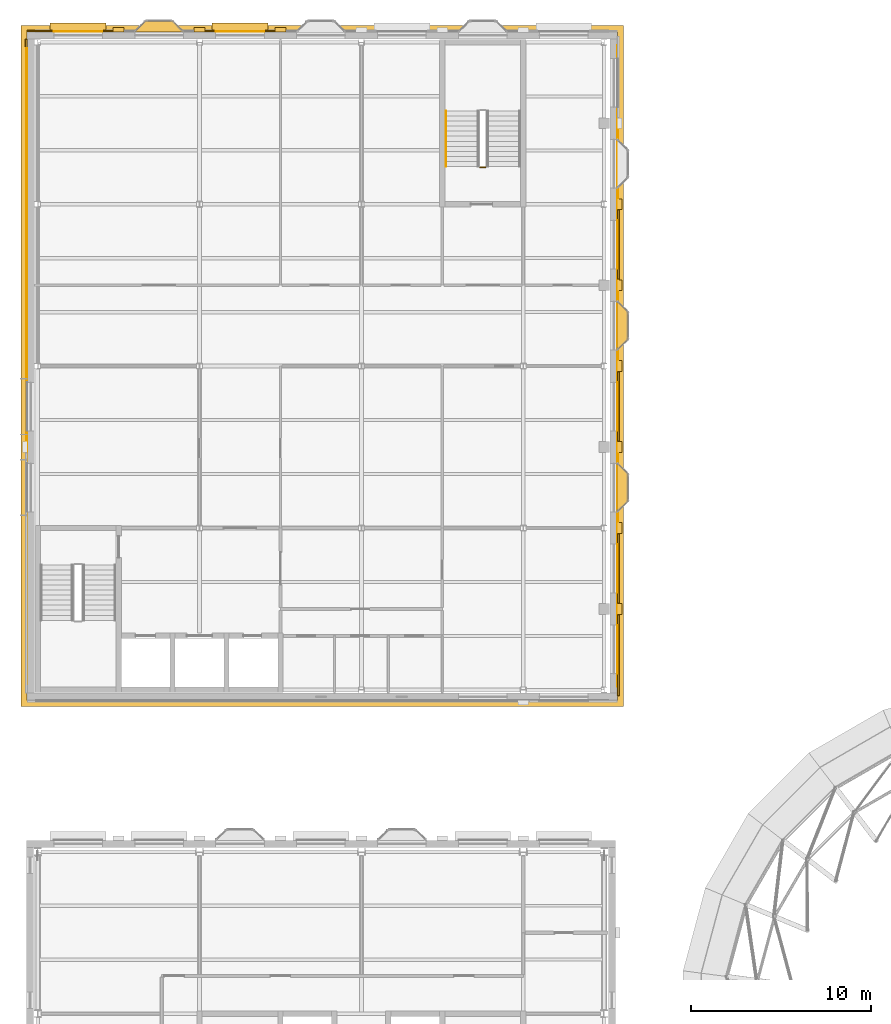
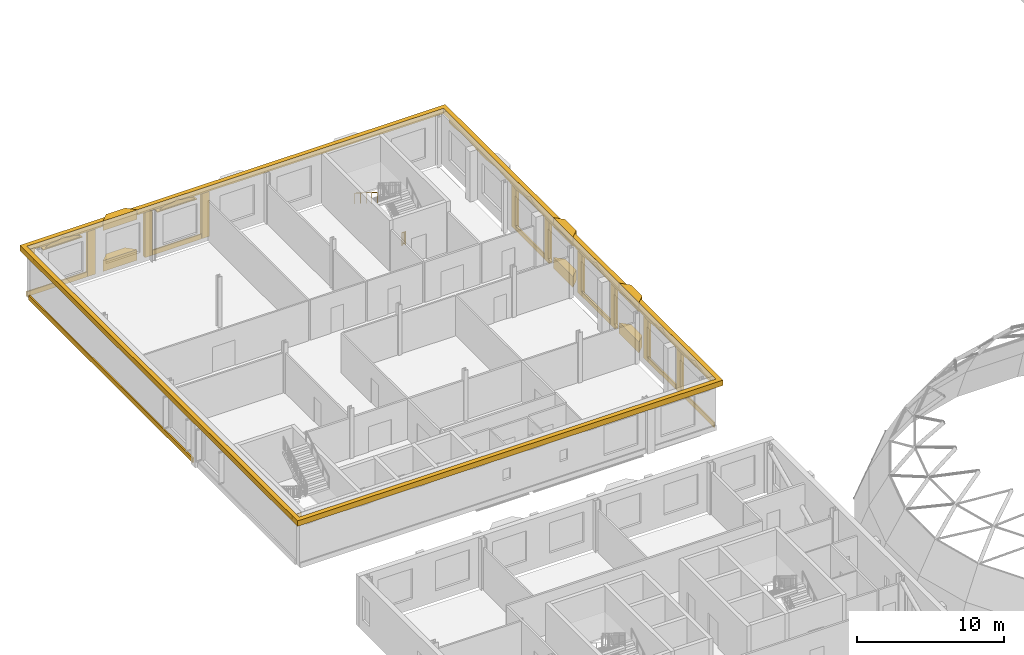
# One storey, part 61 of 62: 31 coverings, 2 railings, 2 shading devices.
"""IFC4 building model written with IfcOpenShell, lengths in metres."""

import ifcopenshell
import ifcopenshell.guid

model = None  # the IFC model being written
_history = None  # IfcOwnerHistory: only IFC2X3 demands one
_inside = {}  # id of a spatial element -> (the spatial element, [elements in it])
_under = {}  # id of a project, library or spatial element -> (it, [spatial elements below it])
_declared = {}  # id of a project -> (the project, [libraries it declares])
_typed = {}  # id of a type object -> (the type object, [elements of that type])
_made_of = {}  # id of a material, layer set ... -> (it, [elements and type objects made of it])


def new_model(schema):
    """Start an empty IFC model of exactly this schema.

    Asked for "IFC4X3", IfcOpenShell would pick the latest addendum, in which some entities
    have other attributes; the version numbers below select the first issue.
    IFC2X3 requires an IfcOwnerHistory on every rooted entity: one is made here for all.
    """
    global model, _history
    if schema == "IFC4X3":
        model = ifcopenshell.file(schema_version=(4, 3, 0, 0))
    else:
        model = ifcopenshell.file(schema=schema)
    _inside.clear()
    _under.clear()
    _declared.clear()
    _typed.clear()
    _made_of.clear()
    _history = None
    if model.schema == "IFC2X3":
        org = make("IfcOrganization", Name="unknown")
        user = make(
            "IfcPersonAndOrganization",
            ThePerson=make("IfcPerson", FamilyName="unknown"),
            TheOrganization=org,
        )
        app = make(
            "IfcApplication",
            ApplicationDeveloper=org,
            Version="unknown",
            ApplicationFullName="unknown",
            ApplicationIdentifier="unknown",
        )
        _history = make(
            "IfcOwnerHistory",
            OwningUser=user,
            OwningApplication=app,
            ChangeAction="ADDED",
            CreationDate=0,
        )
    return model


def make(cls, **values):
    """One entity of the class cls with the attributes given. An attribute that is None is left unset."""
    return model.create_entity(
        cls, **{name: value for name, value in values.items() if value is not None}
    )


def rooted(cls, **values):
    """An entity with a GlobalId (a new one), such as an element, a storey or a relation."""
    return make(cls, GlobalId=ifcopenshell.guid.new(), OwnerHistory=_history, **values)


def si_unit(unit_type, name, prefix=None):
    """IfcSIUnit, for example si_unit("LENGTHUNIT", "METRE", prefix="MILLI")."""
    return make("IfcSIUnit", UnitType=unit_type, Prefix=prefix, Name=name)


def assignment(units):
    """IfcUnitAssignment: the units of a project."""
    return None if units is None else make("IfcUnitAssignment", Units=units)


def point(xyz):
    """IfcCartesianPoint."""
    return None if xyz is None else make("IfcCartesianPoint", Coordinates=xyz)


def direction(xyz):
    """IfcDirection."""
    return None if xyz is None else make("IfcDirection", DirectionRatios=xyz)


def frame(location, z_axis=None, x_axis=None):
    """IfcAxis2Placement3D, a coordinate frame: its origin and axes. An axis left out is left unset."""
    return make(
        "IfcAxis2Placement3D",
        Location=point(location),
        Axis=direction(z_axis),
        RefDirection=direction(x_axis),
    )


def frame_2d(location, x_axis=None):
    """IfcAxis2Placement2D, a coordinate frame in the plane: its origin and x axis."""
    return make(
        "IfcAxis2Placement2D", Location=point(location), RefDirection=direction(x_axis)
    )


def origin():
    """The frame at (0, 0, 0) with its axes left unset."""
    return frame((0.0, 0.0, 0.0))


def origin_2d():
    """The frame at (0, 0) in the plane with its x axis left unset."""
    return frame_2d((0.0, 0.0))


def place(relative_to, where):
    """IfcLocalPlacement: puts the frame where relative to a parent placement (None: the world)."""
    return make(
        "IfcLocalPlacement", PlacementRelTo=relative_to, RelativePlacement=where
    )


def context(
    kind, dimensions, precision=None, world=None, true_north=None, identifier=None
):
    """IfcGeometricRepresentationContext, for example the 3D "Model" context."""
    return make(
        "IfcGeometricRepresentationContext",
        ContextIdentifier=identifier,
        ContextType=kind,
        CoordinateSpaceDimension=dimensions,
        Precision=precision,
        WorldCoordinateSystem=world,
        TrueNorth=true_north,
    )


def subcontext(parent, identifier, kind, view, scale=None):
    """IfcGeometricRepresentationSubContext, for example "Body" below "Model"."""
    return make(
        "IfcGeometricRepresentationSubContext",
        ContextIdentifier=identifier,
        ContextType=kind,
        ParentContext=parent,
        TargetScale=scale,
        TargetView=view,
    )


def project(units=None, contexts=None):
    """IfcProject with its units and contexts."""
    return rooted(
        "IfcProject",
        Name="project",
        RepresentationContexts=contexts,
        UnitsInContext=assignment(units),
    )


def spatial(cls, under=None, at=None, **own):
    """A site, building, storey or space (cls), placed at a placement, below another one or the project."""
    s = rooted(cls, ObjectPlacement=at, **own)
    if under is not None:
        _under.setdefault(under.id(), (under, []))[1].append(s)
    return s


def polyline(points):
    """IfcPolyline through the points."""
    return make("IfcPolyline", Points=[point(p) for p in points])


def profile(cls, at=None, kind="AREA", **sizes):
    """A parametric profile (cls). Its sizes go by their IFC names, for example OverallWidth=200.0."""
    return make(cls, ProfileType=kind, Position=at, **sizes)


def rectangle(**sizes):
    """IfcRectangleProfileDef."""
    return profile("IfcRectangleProfileDef", **sizes)


def circle(**sizes):
    """IfcCircleProfileDef."""
    return profile("IfcCircleProfileDef", **sizes)


def outline(outer, holes=None, kind="AREA"):
    """IfcArbitraryClosedProfileDef: a profile drawn as a closed curve; with holes, ...WithVoids."""
    if holes is None:
        return make("IfcArbitraryClosedProfileDef", ProfileType=kind, OuterCurve=outer)
    return make(
        "IfcArbitraryProfileDefWithVoids",
        ProfileType=kind,
        OuterCurve=outer,
        InnerCurves=holes,
    )


def extrude(swept, where, along, depth):
    """IfcExtrudedAreaSolid: the profile swept, set in the frame where, extruded along a direction by depth."""
    return make(
        "IfcExtrudedAreaSolid",
        SweptArea=swept,
        Position=where,
        ExtrudedDirection=direction(along),
        Depth=depth,
    )


def shape(context_of_items, identifier, shape_type, items):
    """IfcShapeRepresentation: the items that make up one representation, for example the "Body"."""
    return make(
        "IfcShapeRepresentation",
        ContextOfItems=context_of_items,
        RepresentationIdentifier=identifier,
        RepresentationType=shape_type,
        Items=items,
    )


def material(Name=None, Category=None):
    """IfcMaterial."""
    return make("IfcMaterial", Name=Name, Category=Category)


def layer(
    of_material, thickness, ventilated=None, Name=None, Category=None, Priority=None
):
    """IfcMaterialLayer: one layer of a wall or slab, of a material (None: an air gap)."""
    return make(
        "IfcMaterialLayer",
        Material=of_material,
        LayerThickness=thickness,
        IsVentilated=ventilated,
        Name=Name,
        Category=Category,
        Priority=Priority,
    )


def layer_set(layers, Name=None):
    """IfcMaterialLayerSet."""
    return make("IfcMaterialLayerSet", MaterialLayers=layers, LayerSetName=Name)


def made_of(thing, what):
    """Note that an element or type object is made of a material, layer set ...; save() writes the relation."""
    if what is not None:
        _made_of.setdefault(what.id(), (what, []))[1].append(thing)
    return thing


def type_object(cls, material=None, **own):
    """A type object (cls), such as IfcWallType, which elements share."""
    return made_of(rooted(cls, **own), material)


def element(
    cls,
    number,
    at=None,
    inside=None,
    cuts=None,
    type_object=None,
    material=None,
    context=None,
    identifier="Body",
    shape_type=None,
    held_by="IfcProductDefinitionShape",
    body=None,
    shapes=None,
    **own,
):
    """One element of the class cls, such as IfcWall. Its Tag is "e" and its number.

    at: its placement. inside: the storey or other place that contains it. cuts: it is an
    opening in that element (IfcRelVoidsElement). A single representation is given by context,
    identifier, shape_type and body (its items); several are given by shapes. held_by: the class
    of the entity that holds the representations. save() writes the other relations.
    """
    e = rooted(cls, Tag="e%d" % number, ObjectPlacement=at, **own)
    if body is not None:
        shapes = [shape(context, identifier, shape_type, body)]
    if shapes is not None:
        e.Representation = make(held_by, Representations=shapes)
    if inside is not None:
        _inside.setdefault(inside.id(), (inside, []))[1].append(e)
    if cuts is not None:
        rooted(
            "IfcRelVoidsElement", RelatingBuildingElement=cuts, RelatedOpeningElement=e
        )
    if type_object is not None:
        _typed.setdefault(type_object.id(), (type_object, []))[1].append(e)
    return made_of(e, material)


def aggregate(whole, parts):
    """IfcRelAggregates: a whole, such as a stair, and the parts it consists of."""
    return rooted("IfcRelAggregates", RelatingObject=whole, RelatedObjects=parts)


def save(model, path):
    """Write the relations noted so far, then the file.

    IfcRelAggregates (storeys below a building ...), IfcRelContainedInSpatialStructure (elements
    in a storey), IfcRelDefinesByType, IfcRelAssociatesMaterial and IfcRelDeclares: one each for
    every whole, place, type object, material and project.
    """
    for whole, parts in _under.values():
        aggregate(whole, parts)
    for where, things in _inside.values():
        rooted(
            "IfcRelContainedInSpatialStructure",
            RelatedElements=things,
            RelatingStructure=where,
        )
    for kind, things in _typed.values():
        rooted("IfcRelDefinesByType", RelatedObjects=things, RelatingType=kind)
    for what, things in _made_of.values():
        rooted("IfcRelAssociatesMaterial", RelatedObjects=things, RelatingMaterial=what)
    for by, libraries in _declared.values():
        rooted("IfcRelDeclares", RelatingContext=by, RelatedDefinitions=libraries)
    model.write(path)


model = new_model("IFC4")

# Units and contexts
model_context = context("Model", 3, precision=1e-05, world=origin(), true_north=direction((0.0, 1.0)))
body_context = subcontext(model_context, "Body", "Model", "MODEL_VIEW")
ifc_project = project(units=[si_unit("LENGTHUNIT", "METRE"), si_unit("AREAUNIT", "SQUARE_METRE"), si_unit("VOLUMEUNIT", "CUBIC_METRE"), si_unit("PLANEANGLEUNIT", "RADIAN"), si_unit("MASSUNIT", "GRAM", prefix="KILO")], contexts=[model_context])

# Site, building, storey
site_placement = place(None, origin())
site = spatial("IfcSite", under=ifc_project, at=site_placement, CompositionType="ELEMENT")
building_placement = place(site_placement, origin())
building = spatial("IfcBuilding", under=site, at=building_placement, Name="Hortulan Conservatory and Botanical Research Centre", CompositionType="ELEMENT")
storey_placement = place(building_placement, frame((0.0, 0.0, 15.0)))
storey = spatial("IfcBuildingStorey", under=building, at=storey_placement, Name="L03", CompositionType="ELEMENT", Elevation=15.0)

# Shading devices
ifc_material_1 = material(Name="Bronze-finished perforated aluminium", Category="aluminium")
ifc_layer_1 = layer(ifc_material_1, 0.06005859375)
ifc_layer_set_1 = layer_set([ifc_layer_1], Name="Catenary Hood 3100x500x60")
shading_device_type = type_object("IfcShadingDeviceType", Name="Catenary Hood 3100x500x60", PredefinedType="USERDEFINED", material=ifc_layer_set_1)
for number, where, z_axis, x_axis, name in (
    (1, (2.25, 72.83544921875, 3.409912109375), (0.0, 0.0, 1.0), (1.0, 0.0, 0.0), "Catenary hood"),
    (2, (11.25, 72.83544921875, 3.409912109375), (0.0, 0.0, 1.0), (1.0, 0.0, 0.0), "Catenary hood"),
):
    element("IfcShadingDevice", number, at=place(storey_placement, frame(where, z_axis=z_axis, x_axis=x_axis)), inside=storey, type_object=shading_device_type, Name=name, ObjectType="Catenary hood", PredefinedType="USERDEFINED", context=body_context, shape_type="SweptSolid", body=[
        extrude(rectangle(XDim=3.10009765625, YDim=0.5, at=origin_2d()), origin(), (0.0, 0.0, 1.0), 0.06005859375),
    ])

# Coverings
ifc_material_2 = material(Name="Faience cladding, cream glaze (non-combustible)", Category="ceramic")
ifc_layer_2 = layer(ifc_material_2, 0.030029296875)
ifc_layer_set_2 = layer_set([ifc_layer_2], Name="Faience Ogee Head Panel Cream 2700x500")
covering_type_1 = type_object("IfcCoveringType", Name="Faience Ogee Head Panel Cream 2700x500", PredefinedType="CLADDING", material=ifc_layer_set_2)
for number, where, z_axis, x_axis, name in (
    (3, (9.89990234375, 72.6005859375, 3.52001953125), (0.0, 0.0, 1.0), (1.0, 0.0, 0.0), "Ogee head panel"),
    (4, (32.239990234375, 39.60009765625, 3.52001953125), (0.0, 0.0, 1.0), (0.0, -1.0, 0.0), "Ogee head panel"),
    (5, (32.239990234375, 62.10009765625, 3.52001953125), (0.0, 0.0, 1.0), (0.0, -1.0, 0.0), "Ogee head panel"),
):
    element("IfcCovering", number, at=place(storey_placement, frame(where, z_axis=z_axis, x_axis=x_axis)), inside=storey, type_object=covering_type_1, Name=name, PredefinedType="CLADDING", context=body_context, shape_type="SweptSolid", body=[
        extrude(outline(polyline([(0.0, 0.0), (2.699951171875, 0.0), (2.699951171875, 0.080078125), (2.58740234375, 0.148681640625), (2.47509765625, 0.208251953125), (2.362548828125, 0.252197265625), (2.25, 0.278076171875), (2.137451171875, 0.28857421875), (2.02490234375, 0.2900390625), (1.91259765625, 0.291259765625), (1.800048828125, 0.3017578125), (1.6875, 0.327880859375), (1.574951171875, 0.371826171875), (1.46240234375, 0.431396484375), (1.35009765625, 0.5), (1.237548828125, 0.431396484375), (1.125, 0.371826171875), (1.012451171875, 0.327880859375), (0.89990234375, 0.3017578125), (0.78759765625, 0.291259765625), (0.675048828125, 0.2900390625), (0.5625, 0.28857421875), (0.449951171875, 0.278076171875), (0.33740234375, 0.252197265625), (0.22509765625, 0.208251953125), (0.112548828125, 0.148681640625), (0.0, 0.080078125), (0.0, 0.0)])), frame((0.0, 0.01513671875, 0.0), z_axis=(0.0, -1.0, 0.0), x_axis=(1.0, 0.0, 0.0)), (0.0, 0.0, 1.0), 0.030029296875),
    ])
ifc_material_3 = material(Name="Faience cladding, waratah crimson glaze (non-combustible)", Category="ceramic")
ifc_layer_3 = layer(ifc_material_3, 0.030029296875)
ifc_layer_set_3 = layer_set([ifc_layer_3], Name="Faience Ogee Head Panel Crimson 2700x500")
covering_type_2 = type_object("IfcCoveringType", Name="Faience Ogee Head Panel Crimson 2700x500", PredefinedType="CLADDING", material=ifc_layer_set_3)
for number, where, z_axis, x_axis, name in (
    (6, (0.89990234375, 72.6005859375, 3.52001953125), (0.0, 0.0, 1.0), (1.0, 0.0, 0.0), "Ogee head panel"),
    (7, (32.239990234375, 44.10009765625, 3.52001953125), (0.0, 0.0, 1.0), (0.0, -1.0, 0.0), "Ogee head panel"),
):
    element("IfcCovering", number, at=place(storey_placement, frame(where, z_axis=z_axis, x_axis=x_axis)), inside=storey, type_object=covering_type_2, Name=name, PredefinedType="CLADDING", context=body_context, shape_type="SweptSolid", body=[
        extrude(outline(polyline([(0.0, 0.0), (2.699951171875, 0.0), (2.699951171875, 0.080078125), (2.58740234375, 0.148681640625), (2.47509765625, 0.208251953125), (2.362548828125, 0.252197265625), (2.25, 0.278076171875), (2.137451171875, 0.28857421875), (2.02490234375, 0.2900390625), (1.91259765625, 0.291259765625), (1.800048828125, 0.3017578125), (1.6875, 0.327880859375), (1.574951171875, 0.371826171875), (1.46240234375, 0.431396484375), (1.35009765625, 0.5), (1.237548828125, 0.431396484375), (1.125, 0.371826171875), (1.012451171875, 0.327880859375), (0.89990234375, 0.3017578125), (0.78759765625, 0.291259765625), (0.675048828125, 0.2900390625), (0.5625, 0.28857421875), (0.449951171875, 0.278076171875), (0.33740234375, 0.252197265625), (0.22509765625, 0.208251953125), (0.112548828125, 0.148681640625), (0.0, 0.080078125), (0.0, 0.0)])), frame((0.0, 0.01513671875, 0.0), z_axis=(0.0, -1.0, 0.0), x_axis=(1.0, 0.0, 0.0)), (0.0, 0.0, 1.0), 0.030029296875),
    ])
ifc_material_4 = material(Name="Faience cladding, harbour teal glaze (non-combustible)", Category="ceramic")
ifc_layer_4 = layer(ifc_material_4, 0.030029296875)
ifc_layer_set_4 = layer_set([ifc_layer_4], Name="Faience Ogee Head Panel Teal 2700x500")
covering_type_3 = type_object("IfcCoveringType", Name="Faience Ogee Head Panel Teal 2700x500", PredefinedType="CLADDING", material=ifc_layer_set_4)
covering_1_placement = place(storey_placement, frame((32.239990234375, 53.10009765625, 3.52001953125), z_axis=(0.0, 0.0, 1.0), x_axis=(0.0, -1.0, 0.0)))
element("IfcCovering", 8, at=covering_1_placement, inside=storey, type_object=covering_type_3, Name="Ogee head panel", PredefinedType="CLADDING", context=body_context, shape_type="SweptSolid", body=[
    extrude(outline(polyline([(0.0, 0.0), (2.699951171875, 0.0), (2.699951171875, 0.080078125), (2.58740234375, 0.148681640625), (2.47509765625, 0.208251953125), (2.362548828125, 0.252197265625), (2.25, 0.278076171875), (2.137451171875, 0.28857421875), (2.02490234375, 0.2900390625), (1.91259765625, 0.291259765625), (1.800048828125, 0.3017578125), (1.6875, 0.327880859375), (1.574951171875, 0.371826171875), (1.46240234375, 0.431396484375), (1.35009765625, 0.5), (1.237548828125, 0.431396484375), (1.125, 0.371826171875), (1.012451171875, 0.327880859375), (0.89990234375, 0.3017578125), (0.78759765625, 0.291259765625), (0.675048828125, 0.2900390625), (0.5625, 0.28857421875), (0.449951171875, 0.278076171875), (0.33740234375, 0.252197265625), (0.22509765625, 0.208251953125), (0.112548828125, 0.148681640625), (0.0, 0.080078125), (0.0, 0.0)])), frame((0.0, 0.01513671875, 0.0), z_axis=(0.0, -1.0, 0.0), x_axis=(1.0, 0.0, 0.0)), (0.0, 0.0, 1.0), 0.030029296875),
])
ifc_material_5 = material(Name="Faience-faced brickwork masonry", Category="masonry")
covering_type_4 = type_object("IfcCoveringType", Name="Faience Oriel Base", PredefinedType="CLADDING", material=ifc_material_5)
covering_2_placement = place(storey_placement, origin())
element("IfcCovering", 9, at=covering_2_placement, inside=storey, type_object=covering_type_4, Name="Oriel base", PredefinedType="CLADDING", context=body_context, shape_type="SweptSolid", body=[
    extrude(outline(polyline([(5.39990234375, 72.58544921875), (6.0, 73.185546875), (7.5, 73.185546875), (8.10009765625, 72.58544921875), (5.39990234375, 72.58544921875)])), origin(), (0.0, 0.0, 1.0), 0.89990234375),
])
covering_3_placement = place(storey_placement, origin())
element("IfcCovering", 10, at=covering_3_placement, inside=storey, type_object=covering_type_4, Name="Oriel base", PredefinedType="CLADDING", context=body_context, shape_type="SweptSolid", body=[
    extrude(outline(polyline([(32.22509765625, 48.60009765625), (32.824951171875, 48.0), (32.824951171875, 46.5), (32.22509765625, 45.89990234375), (32.22509765625, 48.60009765625)])), origin(), (0.0, 0.0, 1.0), 0.89990234375),
])
covering_4_placement = place(storey_placement, origin())
element("IfcCovering", 11, at=covering_4_placement, inside=storey, type_object=covering_type_4, Name="Oriel base", PredefinedType="CLADDING", context=body_context, shape_type="SweptSolid", body=[
    extrude(outline(polyline([(32.22509765625, 57.60009765625), (32.824951171875, 57.0), (32.824951171875, 55.5), (32.22509765625, 54.89990234375), (32.22509765625, 57.60009765625)])), origin(), (0.0, 0.0, 1.0), 0.89990234375),
])
covering_type_5 = type_object("IfcCoveringType", Name="Faience Oriel Frieze", PredefinedType="CLADDING", material=ifc_material_5)
covering_5_placement = place(storey_placement, frame((0.0, 0.0, 3.39990234375)))
element("IfcCovering", 12, at=covering_5_placement, inside=storey, type_object=covering_type_5, Name="Oriel frieze", PredefinedType="CLADDING", context=body_context, shape_type="SweptSolid", body=[
    extrude(outline(polyline([(5.39990234375, 72.58544921875), (6.0, 73.185546875), (7.5, 73.185546875), (8.10009765625, 72.58544921875), (5.39990234375, 72.58544921875)])), origin(), (0.0, 0.0, 1.0), 0.800048828125),
])
covering_6_placement = place(storey_placement, frame((0.0, 0.0, 3.39990234375)))
element("IfcCovering", 13, at=covering_6_placement, inside=storey, type_object=covering_type_5, Name="Oriel frieze", PredefinedType="CLADDING", context=body_context, shape_type="SweptSolid", body=[
    extrude(outline(polyline([(32.22509765625, 48.60009765625), (32.824951171875, 48.0), (32.824951171875, 46.5), (32.22509765625, 45.89990234375), (32.22509765625, 48.60009765625)])), origin(), (0.0, 0.0, 1.0), 0.800048828125),
])
covering_7_placement = place(storey_placement, frame((0.0, 0.0, 3.39990234375)))
element("IfcCovering", 14, at=covering_7_placement, inside=storey, type_object=covering_type_5, Name="Oriel frieze", PredefinedType="CLADDING", context=body_context, shape_type="SweptSolid", body=[
    extrude(outline(polyline([(32.22509765625, 57.60009765625), (32.824951171875, 57.0), (32.824951171875, 55.5), (32.22509765625, 54.89990234375), (32.22509765625, 57.60009765625)])), origin(), (0.0, 0.0, 1.0), 0.800048828125),
])
ifc_layer_5 = layer(ifc_material_2, 0.25)
ifc_layer_set_5 = layer_set([ifc_layer_5], Name="Faience Pilaster 600x250")
covering_type_6 = type_object("IfcCoveringType", Name="Faience Pilaster 600x250", PredefinedType="CLADDING", material=ifc_layer_set_5)
for number, where, z_axis, x_axis, name in (
    (15, (4.5, 72.71044921875, 0.0), (0.0, 0.0, 1.0), (1.0, 0.0, 0.0), "Pier"),
    (16, (9.0, 72.71044921875, 0.0), (0.0, 0.0, 1.0), (1.0, 0.0, 0.0), "Pier"),
    (17, (13.5, 72.71044921875, 0.0), (0.0, 0.0, 1.0), (1.0, 0.0, 0.0), "Pier"),
    (18, (32.35009765625, 63.0, 0.0), (0.0, 0.0, 1.0), (0.0, -1.0, 0.0), "Pier"),
    (19, (32.35009765625, 58.5, 0.0), (0.0, 0.0, 1.0), (0.0, -1.0, 0.0), "Pier"),
    (20, (32.35009765625, 54.0, 0.0), (0.0, 0.0, 1.0), (0.0, -1.0, 0.0), "Pier"),
    (21, (32.35009765625, 49.5, 0.0), (0.0, 0.0, 1.0), (0.0, -1.0, 0.0), "Pier"),
    (22, (32.35009765625, 45.0, 0.0), (0.0, 0.0, 1.0), (0.0, -1.0, 0.0), "Pier"),
    (23, (32.35009765625, 40.5, 0.0), (0.0, 0.0, 1.0), (0.0, -1.0, 0.0), "Pier"),
):
    element("IfcCovering", number, at=place(storey_placement, frame(where, z_axis=z_axis, x_axis=x_axis)), inside=storey, type_object=covering_type_6, Name=name, PredefinedType="CLADDING", context=body_context, shape_type="SweptSolid", body=[
        extrude(rectangle(XDim=0.60009765625, YDim=0.25, at=origin_2d()), origin(), (0.0, 0.0, 1.0), 3.75),
    ])
ifc_layer_6 = layer(ifc_material_3, 0.10009765625)
ifc_layer_set_6 = layer_set([ifc_layer_6], Name="Faience String Course 400x100 Crimson")
covering_type_7 = type_object("IfcCoveringType", Name="Faience String Course 400x100 Crimson", PredefinedType="CLADDING", material=ifc_layer_set_6)
covering_8_placement = place(storey_placement, frame((-0.62939453125, 60.999755859375, 0.0), z_axis=(0.0, 0.0, 1.0), x_axis=(0.0, 1.0, 0.0)))
element("IfcCovering", 24, at=covering_8_placement, inside=storey, type_object=covering_type_7, Name="String course", PredefinedType="CLADDING", context=body_context, shape_type="SweptSolid", body=[
    extrude(rectangle(XDim=22.359619140625, YDim=0.10009765625, at=origin_2d()), origin(), (0.0, 0.0, 1.0), 0.39990234375),
])
covering_9_placement = place(storey_placement, frame((1.80029296875, 72.635498046875, 0.0), z_axis=(0.0, 0.0, 1.0), x_axis=(1.0, 0.0, 0.0)))
element("IfcCovering", 25, at=covering_9_placement, inside=storey, type_object=covering_type_7, Name="String course", PredefinedType="CLADDING", context=body_context, shape_type="SweptSolid", body=[
    extrude(rectangle(XDim=4.759521484375, YDim=0.10009765625, at=origin_2d()), origin(), (0.0, 0.0, 1.0), 0.39990234375),
])
for number, where, z_axis, x_axis, name in (
    (26, (11.25, 72.635498046875, 0.0), (0.0, 0.0, 1.0), (1.0, 0.0, 0.0), "String course"),
    (27, (32.27490234375, 60.75, 0.0), (0.0, 0.0, 1.0), (0.0, -1.0, 0.0), "String course"),
    (28, (32.27490234375, 51.75, 0.0), (0.0, 0.0, 1.0), (0.0, -1.0, 0.0), "String course"),
    (29, (32.27490234375, 42.75, 0.0), (0.0, 0.0, 1.0), (0.0, -1.0, 0.0), "String course"),
):
    element("IfcCovering", number, at=place(storey_placement, frame(where, z_axis=z_axis, x_axis=x_axis)), inside=storey, type_object=covering_type_7, Name=name, PredefinedType="CLADDING", context=body_context, shape_type="SweptSolid", body=[
        extrude(rectangle(XDim=3.860107421875, YDim=0.10009765625, at=origin_2d()), origin(), (0.0, 0.0, 1.0), 0.39990234375),
    ])
covering_10_placement = place(storey_placement, frame((32.27490234375, 37.927490234375, 0.0), z_axis=(0.0, 0.0, 1.0), x_axis=(0.0, -1.0, 0.0)))
element("IfcCovering", 30, at=covering_10_placement, inside=storey, type_object=covering_type_7, Name="String course", PredefinedType="CLADDING", context=body_context, shape_type="SweptSolid", body=[
    extrude(rectangle(XDim=4.5048828125, YDim=0.10009765625, at=origin_2d()), origin(), (0.0, 0.0, 1.0), 0.39990234375),
])
covering_type_8 = type_object("IfcCoveringType", Name="Sandstone Cornice 350", PredefinedType="CLADDING", material=ifc_material_5)
covering_11_placement = place(storey_placement, frame((0.0, 0.0, 3.75)))
element("IfcCovering", 31, at=covering_11_placement, inside=storey, type_object=covering_type_8, Name="Cornice", PredefinedType="CLADDING", context=body_context, shape_type="SweptSolid", body=[
    extrude(outline(polyline([(32.574951171875, 35.064453125), (-0.929443359375, 35.064453125), (-0.929443359375, 35.470458984375), (-0.929443359375, 35.814453125), (-0.929443359375, 72.185546875), (-0.929443359375, 72.529541015625), (-0.929443359375, 72.935546875), (32.574951171875, 72.935546875), (32.574951171875, 72.675048828125), (32.574951171875, 72.185546875), (32.574951171875, 35.814453125), (32.574951171875, 35.324951171875), (32.574951171875, 35.064453125)]), holes=[polyline([(-0.179443359375, 72.179443359375), (-0.57958984375, 72.179443359375), (-0.57958984375, 72.179443359375), (-0.57958984375, 72.179443359375), (-0.57958984375, 72.179443359375), (-0.57958984375, 72.179443359375), (-0.57958984375, 72.179443359375), (-0.57958984375, 72.179443359375), (-0.57958984375, 72.179443359375), (-0.57958984375, 72.179443359375), (-0.57958984375, 72.179443359375), (-0.57958984375, 72.179443359375), (-0.57958984375, 72.179443359375), (-0.57958984375, 72.179443359375), (-0.57958984375, 72.179443359375), (-0.57958984375, 72.179443359375), (-0.57958984375, 72.179443359375), (-0.57958984375, 72.179443359375), (-0.57958984375, 35.820556640625), (-0.57958984375, 35.820556640625), (-0.57958984375, 35.820556640625), (-0.57958984375, 35.820556640625), (-0.57958984375, 35.820556640625), (-0.57958984375, 35.820556640625), (-0.57958984375, 35.820556640625), (-0.57958984375, 35.820556640625), (-0.57958984375, 35.820556640625), (-0.57958984375, 35.820556640625), (-0.57958984375, 35.820556640625), (-0.57958984375, 35.820556640625), (-0.57958984375, 35.820556640625), (-0.57958984375, 35.820556640625), (-0.57958984375, 35.820556640625), (-0.57958984375, 35.820556640625), (-0.57958984375, 35.820556640625), (-0.179443359375, 35.820556640625), (-0.179443359375, 35.814453125), (-0.57958984375, 35.814453125), (-0.57958984375, 35.814453125), (-0.57958984375, 35.814453125), (-0.57958984375, 35.814453125), (-0.57958984375, 35.814453125), (-0.57958984375, 35.814453125), (-0.57958984375, 35.814453125), (-0.57958984375, 35.814453125), (-0.57958984375, 35.814453125), (-0.57958984375, 35.814453125), (-0.57958984375, 35.814453125), (-0.57958984375, 35.814453125), (-0.57958984375, 35.814453125), (-0.57958984375, 35.814453125), (-0.57958984375, 35.814453125), (-0.57958984375, 35.814453125), (-0.57958984375, 35.814453125), (-0.57958984375, 35.41455078125), (-0.57958984375, 35.41455078125), (-0.57958984375, 35.41455078125), (-0.57958984375, 35.41455078125), (-0.57958984375, 35.41455078125), (-0.57958984375, 35.41455078125), (-0.57958984375, 35.41455078125), (-0.57958984375, 35.41455078125), (-0.57958984375, 35.41455078125), (-0.57958984375, 35.41455078125), (-0.57958984375, 35.41455078125), (-0.57958984375, 35.41455078125), (-0.57958984375, 35.41455078125), (-0.57958984375, 35.41455078125), (-0.57958984375, 35.41455078125), (-0.57958984375, 35.41455078125), (-0.57958984375, 35.41455078125), (32.22509765625, 35.41455078125), (32.22509765625, 35.41455078125), (32.22509765625, 35.41455078125), (32.22509765625, 35.41455078125), (32.22509765625, 35.41455078125), (32.22509765625, 35.41455078125), (32.22509765625, 35.41455078125), (32.22509765625, 35.41455078125), (32.22509765625, 35.41455078125), (32.22509765625, 35.41455078125), (32.22509765625, 35.41455078125), (32.22509765625, 35.41455078125), (32.22509765625, 35.41455078125), (32.22509765625, 35.41455078125), (32.22509765625, 35.41455078125), (32.22509765625, 35.41455078125), (32.22509765625, 35.41455078125), (32.22509765625, 72.58544921875), (32.22509765625, 72.58544921875), (32.22509765625, 72.58544921875), (32.22509765625, 72.58544921875), (32.22509765625, 72.58544921875), (32.22509765625, 72.58544921875), (32.22509765625, 72.58544921875), (32.22509765625, 72.58544921875), (32.22509765625, 72.58544921875), (32.22509765625, 72.58544921875), (32.22509765625, 72.58544921875), (32.22509765625, 72.58544921875), (32.22509765625, 72.58544921875), (32.22509765625, 72.58544921875), (32.22509765625, 72.58544921875), (32.22509765625, 72.58544921875), (32.22509765625, 72.58544921875), (-0.57958984375, 72.58544921875), (-0.57958984375, 72.58544921875), (-0.57958984375, 72.58544921875), (-0.57958984375, 72.58544921875), (-0.57958984375, 72.58544921875), (-0.57958984375, 72.58544921875), (-0.57958984375, 72.58544921875), (-0.57958984375, 72.58544921875), (-0.57958984375, 72.58544921875), (-0.57958984375, 72.58544921875), (-0.57958984375, 72.58544921875), (-0.57958984375, 72.58544921875), (-0.57958984375, 72.58544921875), (-0.57958984375, 72.58544921875), (-0.57958984375, 72.58544921875), (-0.57958984375, 72.58544921875), (-0.57958984375, 72.58544921875), (-0.57958984375, 72.185546875), (-0.57958984375, 72.185546875), (-0.57958984375, 72.185546875), (-0.57958984375, 72.185546875), (-0.57958984375, 72.185546875), (-0.57958984375, 72.185546875), (-0.57958984375, 72.185546875), (-0.57958984375, 72.185546875), (-0.57958984375, 72.185546875), (-0.57958984375, 72.185546875), (-0.57958984375, 72.185546875), (-0.57958984375, 72.185546875), (-0.57958984375, 72.185546875), (-0.57958984375, 72.185546875), (-0.57958984375, 72.185546875), (-0.57958984375, 72.185546875), (-0.57958984375, 72.185546875), (-0.179443359375, 72.185546875), (-0.179443359375, 72.179443359375)])]), origin(), (0.0, 0.0, 1.0), 0.449951171875),
])

# Railings
ifc_material_6 = material(Name="Steel balustrade, bronze-charcoal paint", Category="steel")
railing_type_1 = type_object("IfcRailingType", Name="Stair Guard 1100", PredefinedType="GUARDRAIL", material=ifc_material_6)
railing_1_placement = place(storey_placement, frame((24.89990234375, 65.050048828125, 0.0)))
element("IfcRailing", 32, at=railing_1_placement, inside=storey, type_object=railing_type_1, Name="Guard V2 L03 stair 4", PredefinedType="GUARDRAIL", context=body_context, shape_type="SweptSolid", body=[
    extrude(circle(Radius=0.02392578125, at=origin_2d()), frame((0.0, 0.0, 1.076171875), z_axis=(-1.0, 0.0, 0.0), x_axis=(0.0, -1.0, 0.0)), (0.0, 0.0, 1.0), 0.2998046875),
    extrude(circle(Radius=0.02392578125, at=origin_2d()), frame((0.0, 0.0, 0.1240234375), z_axis=(-1.0, 0.0, 0.0), x_axis=(0.0, -1.0, 0.0)), (0.0, 0.0, 1.0), 0.2998046875),
    extrude(circle(Radius=0.008056640625, at=origin_2d()), frame((-0.099853515625, 0.0, 0.148193359375)), (0.0, 0.0, 1.0), 0.90380859375),
    extrude(circle(Radius=0.008056640625, at=origin_2d()), frame((-0.199951171875, 0.0, 0.148193359375)), (0.0, 0.0, 1.0), 0.90380859375),
    extrude(circle(Radius=0.02099609375, at=origin_2d()), origin(), (0.0, 0.0, 1.0), 1.052001953125),
    extrude(circle(Radius=0.02099609375, at=origin_2d()), frame((-0.2998046875, 0.0, 0.0)), (0.0, 0.0, 1.0), 1.052001953125),
])
ifc_material_7 = material(Name="Bronze handrail, polished", Category="metal")
railing_type_2 = type_object("IfcRailingType", Name="Stair Handrail 900", PredefinedType="HANDRAIL", material=ifc_material_7)
railing_2_placement = place(storey_placement, frame((22.699951171875, 68.179931640625, 2.27490234375)))
element("IfcRailing", 33, at=railing_2_placement, inside=storey, type_object=railing_type_2, Name="Handrail V2 L03 stair 2", PredefinedType="HANDRAIL", context=body_context, shape_type="SweptSolid", body=[
    extrude(circle(Radius=0.02392578125, at=origin_2d()), frame((0.0, 0.0, 0.8759765625), z_axis=(0.0, -0.847979421464, 0.530029150871), x_axis=(1.0, 0.0, 0.0)), (0.0, 0.0, 1.0), 3.632080078125),
    extrude(circle(Radius=0.02099609375, at=origin_2d()), origin(), (0.0, 0.0, 1.0), 0.851806640625),
    extrude(circle(Radius=0.02099609375, at=origin_2d()), frame((0.0, -0.77001953125, 0.481201171875)), (0.0, 0.0, 1.0), 0.851806640625),
    extrude(circle(Radius=0.02099609375, at=origin_2d()), frame((0.0, -1.5400390625, 0.96240234375)), (0.0, 0.0, 1.0), 0.851806640625),
    extrude(circle(Radius=0.02099609375, at=origin_2d()), frame((0.0, -2.309814453125, 1.44384765625)), (0.0, 0.0, 1.0), 0.851806640625),
    extrude(circle(Radius=0.02099609375, at=origin_2d()), frame((0.0, -3.079833984375, 1.925048828125)), (0.0, 0.0, 1.0), 0.851806640625),
])

# Coverings
ifc_material_8 = material(Name="Faience cladding, wattle ochre glaze (non-combustible)", Category="ceramic")
ifc_layer_7 = layer(ifc_material_8, 0.050048828125)
ifc_layer_set_7 = layer_set([ifc_layer_7], Name="Whiplash Crown Frieze Panel 50")
covering_type_9 = type_object("IfcCoveringType", Name="Whiplash Crown Frieze Panel 50", PredefinedType="CLADDING", material=ifc_layer_set_7)
covering_12_placement = place(storey_placement, frame((-0.6044921875, 36.320556640625, 3.449951171875), z_axis=(0.0, 0.0, 1.0), x_axis=(0.0, 1.0, 0.0)))
element("IfcCovering", 34, at=covering_12_placement, inside=storey, type_object=covering_type_9, Name="Whiplash crown frieze", PredefinedType="CLADDING", context=body_context, shape_type="SweptSolid", body=[
    extrude(outline(polyline([(0.0, 0.0), (0.280517578125, 0.0), (0.561279296875, 0.00390625), (0.841796875, 0.033447265625), (1.12255859375, 0.07470703125), (1.403076171875, 0.115966796875), (1.683837890625, 0.145751953125), (1.96435546875, 0.150146484375), (2.2451171875, 0.150146484375), (2.525634765625, 0.132080078125), (2.806396484375, 0.110595703125), (3.0869140625, 0.091552734375), (3.367431640625, 0.075439453125), (3.648193359375, 0.0595703125), (3.9287109375, 0.04052734375), (4.20947265625, 0.01904296875), (4.489990234375, 0.00048828125), (4.770751953125, 0.0), (5.05126953125, 0.003173828125), (5.331787109375, 0.031982421875), (5.612548828125, 0.0732421875), (5.893310546875, 0.11474609375), (6.173828125, 0.14501953125), (6.454345703125, 0.150146484375), (6.735107421875, 0.150146484375), (7.015625, 0.1328125), (7.29638671875, 0.111328125), (7.576904296875, 0.092041015625), (7.857666015625, 0.075927734375), (8.13818359375, 0.06005859375), (8.418701171875, 0.041259765625), (8.699462890625, 0.02001953125), (8.97998046875, 0.0009765625), (9.2607421875, 0.0), (9.541259765625, 0.00244140625), (9.822021484375, 0.03076171875), (10.1025390625, 0.071533203125), (10.38330078125, 0.11328125), (10.663818359375, 0.144287109375), (10.944580078125, 0.150146484375), (11.22509765625, 0.150146484375), (11.505615234375, 0.133544921875), (11.786376953125, 0.112060546875), (12.06689453125, 0.092529296875), (12.34765625, 0.07666015625), (12.628173828125, 0.060791015625), (12.90869140625, 0.042236328125), (13.189453125, 0.020751953125), (13.47021484375, 0.001708984375), (13.750732421875, 0.0), (14.03125, 0.001953125), (14.31201171875, 0.029541015625), (14.592529296875, 0.070068359375), (14.873291015625, 0.112060546875), (15.15380859375, 0.1435546875), (15.4345703125, 0.150146484375), (15.715087890625, 0.150146484375), (15.99560546875, 0.13427734375), (16.2763671875, 0.11279296875), (16.556884765625, 0.09326171875), (16.837646484375, 0.0771484375), (17.1181640625, 0.061279296875), (17.39892578125, 0.04296875), (17.679443359375, 0.021484375), (17.960205078125, 0.002197265625), (18.24072265625, 0.0), (18.521484375, 0.001220703125), (18.802001953125, 0.0283203125), (19.08251953125, 0.068359375), (19.36328125, 0.110595703125), (19.643798828125, 0.142578125), (19.924560546875, 0.150146484375), (20.205078125, 0.150146484375), (20.48583984375, 0.135009765625), (20.766357421875, 0.113525390625), (21.047119140625, 0.093994140625), (21.32763671875, 0.07763671875), (21.6083984375, 0.06201171875), (21.888916015625, 0.04345703125), (22.16943359375, 0.022216796875), (22.4501953125, 0.002685546875), (22.730712890625, 0.0), (23.011474609375, 0.00048828125), (23.2919921875, 0.02685546875), (23.57275390625, 0.06689453125), (23.853271484375, 0.109130859375), (24.1337890625, 0.141845703125), (24.41455078125, 0.150146484375), (24.6953125, 0.150146484375), (24.975830078125, 0.1357421875), (25.25634765625, 0.1142578125), (25.537109375, 0.094482421875), (25.817626953125, 0.078125), (26.098388671875, 0.0625), (26.37890625, 0.044189453125), (26.65966796875, 0.02294921875), (26.940185546875, 0.00341796875), (27.220703125, 0.0), (27.50146484375, 0.0), (27.781982421875, 0.025634765625), (28.062744140625, 0.0654296875), (28.34326171875, 0.10791015625), (28.6240234375, 0.140869140625), (28.904541015625, 0.150146484375), (29.185302734375, 0.150146484375), (29.4658203125, 0.136474609375), (29.74658203125, 0.114990234375), (30.027099609375, 0.09521484375), (30.3076171875, 0.078857421875), (30.58837890625, 0.063232421875), (30.868896484375, 0.044921875), (31.149658203125, 0.023681640625), (31.43017578125, 0.00390625), (31.710693359375, 0.0), (31.991455078125, 0.0), (32.272216796875, 0.024658203125), (32.552734375, 0.06396484375), (32.83349609375, 0.1064453125), (33.114013671875, 0.139892578125), (33.39453125, 0.150146484375), (33.67529296875, 0.150146484375), (33.955810546875, 0.13720703125), (34.236572265625, 0.115966796875), (34.51708984375, 0.095947265625), (34.797607421875, 0.079345703125), (35.078369140625, 0.063720703125), (35.35888671875, 0.045654296875), (35.35888671875, 0.300048828125), (0.0, 0.300048828125), (0.0, 0.0)])), frame((0.0, 0.02490234375, 0.0), z_axis=(0.0, -1.0, 0.0), x_axis=(1.0, 0.0, 0.0)), (0.0, 0.0, 1.0), 0.050048828125),
])
covering_13_placement = place(storey_placement, frame((32.25, 71.824951171875, 3.449951171875), z_axis=(0.0, 0.0, 1.0), x_axis=(0.0, -1.0, 0.0)))
element("IfcCovering", 35, at=covering_13_placement, inside=storey, type_object=covering_type_9, Name="Whiplash crown frieze", PredefinedType="CLADDING", context=body_context, shape_type="SweptSolid", body=[
    extrude(outline(polyline([(0.0, 0.0), (0.28076171875, 0.0), (0.561279296875, 0.00390625), (0.842041015625, 0.033447265625), (1.122802734375, 0.07470703125), (1.403564453125, 0.1162109375), (1.684326171875, 0.145751953125), (1.965087890625, 0.150146484375), (2.24560546875, 0.150146484375), (2.5263671875, 0.1318359375), (2.80712890625, 0.1103515625), (3.087890625, 0.09130859375), (3.368408203125, 0.075439453125), (3.649169921875, 0.0595703125), (3.929931640625, 0.04052734375), (4.210693359375, 0.01904296875), (4.4912109375, 0.00048828125), (4.77197265625, 0.0), (5.052734375, 0.00341796875), (5.33349609375, 0.0322265625), (5.6142578125, 0.0732421875), (5.89501953125, 0.114990234375), (6.175537109375, 0.145263671875), (6.456298828125, 0.150146484375), (6.737060546875, 0.150146484375), (7.017578125, 0.132568359375), (7.29833984375, 0.111083984375), (7.5791015625, 0.092041015625), (7.85986328125, 0.075927734375), (8.140625, 0.06005859375), (8.42138671875, 0.041259765625), (8.701904296875, 0.019775390625), (8.982666015625, 0.0009765625), (9.263427734375, 0.0), (9.544189453125, 0.002685546875), (9.82470703125, 0.03125), (10.10546875, 0.072021484375), (10.38623046875, 0.11376953125), (10.6669921875, 0.14453125), (10.947509765625, 0.150146484375), (11.228271484375, 0.150146484375), (11.509033203125, 0.13330078125), (11.789794921875, 0.11181640625), (12.070556640625, 0.092529296875), (12.351318359375, 0.076416015625), (12.6318359375, 0.060546875), (12.91259765625, 0.041748046875), (13.193359375, 0.0205078125), (13.47412109375, 0.00146484375), (13.754638671875, 0.0), (14.035400390625, 0.002197265625), (14.316162109375, 0.030029296875), (14.596923828125, 0.070556640625), (14.877685546875, 0.112548828125), (15.158203125, 0.143798828125), (15.43896484375, 0.150146484375), (15.7197265625, 0.150146484375), (16.00048828125, 0.134033203125), (16.281005859375, 0.112548828125), (16.561767578125, 0.093017578125), (16.842529296875, 0.076904296875), (17.123291015625, 0.06103515625), (17.40380859375, 0.04248046875), (17.6845703125, 0.02099609375), (17.96533203125, 0.001953125), (18.24609375, 0.0), (18.52685546875, 0.00146484375), (18.8076171875, 0.029052734375), (19.088134765625, 0.0693359375), (19.368896484375, 0.111328125), (19.649658203125, 0.14306640625), (19.930419921875, 0.150146484375), (20.2109375, 0.150146484375), (20.49169921875, 0.134521484375), (20.7724609375, 0.113037109375), (21.052978515625, 0.093505859375), (21.333984375, 0.0771484375), (21.614501953125, 0.0615234375), (21.895263671875, 0.043212890625), (22.176025390625, 0.021728515625), (22.456787109375, 0.00244140625), (22.7373046875, 0.0), (23.01806640625, 0.0009765625), (23.298828125, 0.02783203125), (23.57958984375, 0.068115234375), (23.860107421875, 0.1103515625), (24.140869140625, 0.142333984375), (24.421630859375, 0.150146484375), (24.702392578125, 0.150146484375), (24.983154296875, 0.13525390625), (25.263916015625, 0.11376953125), (25.54443359375, 0.093994140625), (25.8251953125, 0.07763671875), (26.10595703125, 0.062255859375), (26.38671875, 0.043701171875), (26.667236328125, 0.0224609375), (26.947998046875, 0.0029296875), (27.228759765625, 0.0), (27.509521484375, 0.00048828125), (27.790283203125, 0.02685546875), (28.07080078125, 0.066650390625), (28.3515625, 0.109130859375), (28.63232421875, 0.1416015625), (28.9130859375, 0.150146484375), (29.193603515625, 0.150146484375), (29.474365234375, 0.1357421875), (29.755126953125, 0.1142578125), (30.035888671875, 0.0947265625), (30.31640625, 0.078369140625), (30.59716796875, 0.062744140625), (30.8779296875, 0.04443359375), (31.15869140625, 0.02294921875), (31.439453125, 0.00341796875), (31.72021484375, 0.0), (32.000732421875, 0.0), (32.281494140625, 0.025634765625), (32.562255859375, 0.0654296875), (32.843017578125, 0.10791015625), (33.12353515625, 0.140869140625), (33.404296875, 0.150146484375), (33.68505859375, 0.150146484375), (33.9658203125, 0.136474609375), (34.24658203125, 0.114990234375), (34.527099609375, 0.09521484375), (34.807861328125, 0.078857421875), (35.088623046875, 0.063232421875), (35.369384765625, 0.044921875), (35.64990234375, 0.023681640625), (35.64990234375, 0.300048828125), (0.0, 0.300048828125), (0.0, 0.0)])), frame((0.0, 0.02490234375, 0.0), z_axis=(0.0, -1.0, 0.0), x_axis=(1.0, 0.0, 0.0)), (0.0, 0.0, 1.0), 0.050048828125),
])

save(model, "model.ifc")
